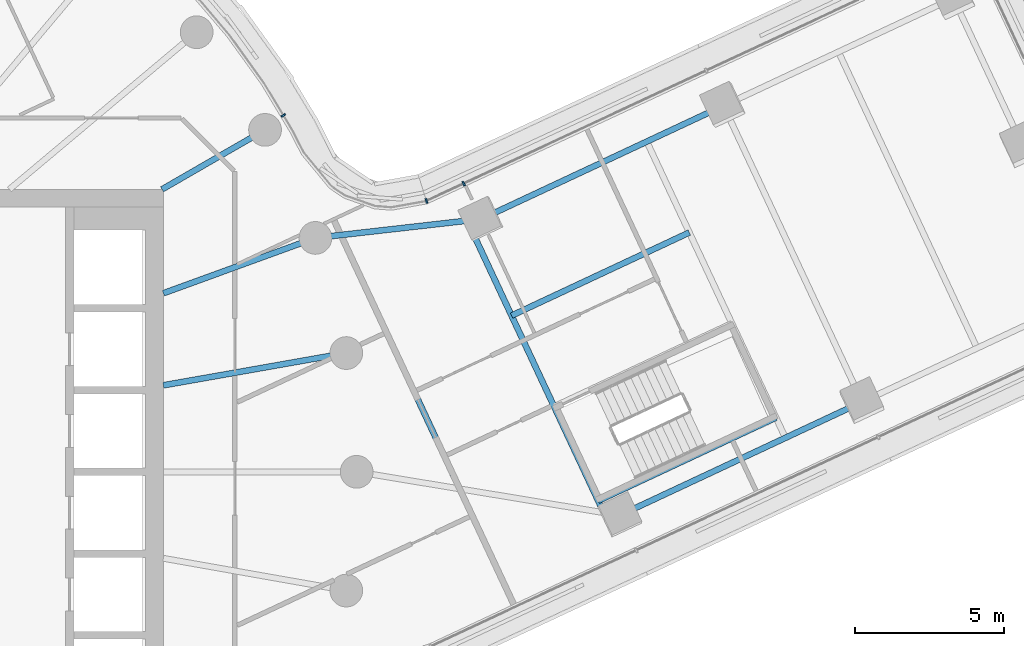
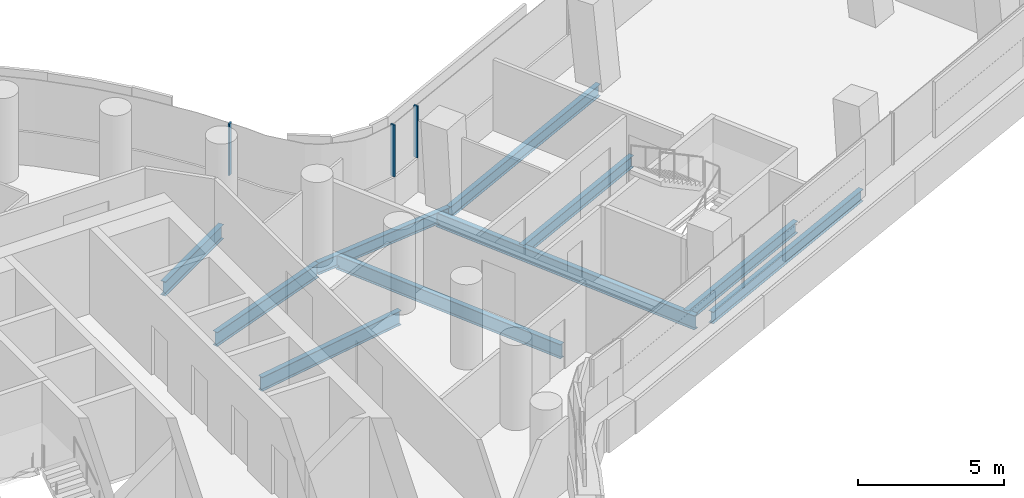
# One storey, part 12 of 36: 10 beams, 3 members, 2 elements without a shape of their own.
"""IFC4 building model written with IfcOpenShell, lengths in metres."""

import ifcopenshell
import ifcopenshell.guid

model = None  # the IFC model being written
_history = None  # IfcOwnerHistory: only IFC2X3 demands one
_inside = {}  # id of a spatial element -> (the spatial element, [elements in it])
_under = {}  # id of a project, library or spatial element -> (it, [spatial elements below it])
_declared = {}  # id of a project -> (the project, [libraries it declares])
_typed = {}  # id of a type object -> (the type object, [elements of that type])
_made_of = {}  # id of a material, layer set ... -> (it, [elements and type objects made of it])


def new_model(schema):
    """Start an empty IFC model of exactly this schema.

    Asked for "IFC4X3", IfcOpenShell would pick the latest addendum, in which some entities
    have other attributes; the version numbers below select the first issue.
    IFC2X3 requires an IfcOwnerHistory on every rooted entity: one is made here for all.
    """
    global model, _history
    if schema == "IFC4X3":
        model = ifcopenshell.file(schema_version=(4, 3, 0, 0))
    else:
        model = ifcopenshell.file(schema=schema)
    _inside.clear()
    _under.clear()
    _declared.clear()
    _typed.clear()
    _made_of.clear()
    _history = None
    if model.schema == "IFC2X3":
        org = make("IfcOrganization", Name="unknown")
        user = make(
            "IfcPersonAndOrganization",
            ThePerson=make("IfcPerson", FamilyName="unknown"),
            TheOrganization=org,
        )
        app = make(
            "IfcApplication",
            ApplicationDeveloper=org,
            Version="unknown",
            ApplicationFullName="unknown",
            ApplicationIdentifier="unknown",
        )
        _history = make(
            "IfcOwnerHistory",
            OwningUser=user,
            OwningApplication=app,
            ChangeAction="ADDED",
            CreationDate=0,
        )
    return model


def make(cls, **values):
    """One entity of the class cls with the attributes given. An attribute that is None is left unset."""
    return model.create_entity(
        cls, **{name: value for name, value in values.items() if value is not None}
    )


def rooted(cls, **values):
    """An entity with a GlobalId (a new one), such as an element, a storey or a relation."""
    return make(cls, GlobalId=ifcopenshell.guid.new(), OwnerHistory=_history, **values)


def si_unit(unit_type, name, prefix=None):
    """IfcSIUnit, for example si_unit("LENGTHUNIT", "METRE", prefix="MILLI")."""
    return make("IfcSIUnit", UnitType=unit_type, Prefix=prefix, Name=name)


def assignment(units):
    """IfcUnitAssignment: the units of a project."""
    return None if units is None else make("IfcUnitAssignment", Units=units)


def point(xyz):
    """IfcCartesianPoint."""
    return None if xyz is None else make("IfcCartesianPoint", Coordinates=xyz)


def direction(xyz):
    """IfcDirection."""
    return None if xyz is None else make("IfcDirection", DirectionRatios=xyz)


def frame(location, z_axis=None, x_axis=None):
    """IfcAxis2Placement3D, a coordinate frame: its origin and axes. An axis left out is left unset."""
    return make(
        "IfcAxis2Placement3D",
        Location=point(location),
        Axis=direction(z_axis),
        RefDirection=direction(x_axis),
    )


def frame_2d(location, x_axis=None):
    """IfcAxis2Placement2D, a coordinate frame in the plane: its origin and x axis."""
    return make(
        "IfcAxis2Placement2D", Location=point(location), RefDirection=direction(x_axis)
    )


def origin():
    """The frame at (0, 0, 0) with its axes left unset."""
    return frame((0.0, 0.0, 0.0))


def origin_2d():
    """The frame at (0, 0) in the plane with its x axis left unset."""
    return frame_2d((0.0, 0.0))


def place(relative_to, where):
    """IfcLocalPlacement: puts the frame where relative to a parent placement (None: the world)."""
    return make(
        "IfcLocalPlacement", PlacementRelTo=relative_to, RelativePlacement=where
    )


def context(
    kind, dimensions, precision=None, world=None, true_north=None, identifier=None
):
    """IfcGeometricRepresentationContext, for example the 3D "Model" context."""
    return make(
        "IfcGeometricRepresentationContext",
        ContextIdentifier=identifier,
        ContextType=kind,
        CoordinateSpaceDimension=dimensions,
        Precision=precision,
        WorldCoordinateSystem=world,
        TrueNorth=true_north,
    )


def subcontext(parent, identifier, kind, view, scale=None):
    """IfcGeometricRepresentationSubContext, for example "Body" below "Model"."""
    return make(
        "IfcGeometricRepresentationSubContext",
        ContextIdentifier=identifier,
        ContextType=kind,
        ParentContext=parent,
        TargetScale=scale,
        TargetView=view,
    )


def project(units=None, contexts=None):
    """IfcProject with its units and contexts."""
    return rooted(
        "IfcProject",
        Name="project",
        RepresentationContexts=contexts,
        UnitsInContext=assignment(units),
    )


def spatial(cls, under=None, at=None, **own):
    """A site, building, storey or space (cls), placed at a placement, below another one or the project."""
    s = rooted(cls, ObjectPlacement=at, **own)
    if under is not None:
        _under.setdefault(under.id(), (under, []))[1].append(s)
    return s


def profile(cls, at=None, kind="AREA", **sizes):
    """A parametric profile (cls). Its sizes go by their IFC names, for example OverallWidth=200.0."""
    return make(cls, ProfileType=kind, Position=at, **sizes)


def rectangle(**sizes):
    """IfcRectangleProfileDef."""
    return profile("IfcRectangleProfileDef", **sizes)


def i_section(**sizes):
    """IfcIShapeProfileDef."""
    return profile("IfcIShapeProfileDef", **sizes)


def extrude(swept, where, along, depth):
    """IfcExtrudedAreaSolid: the profile swept, set in the frame where, extruded along a direction by depth."""
    return make(
        "IfcExtrudedAreaSolid",
        SweptArea=swept,
        Position=where,
        ExtrudedDirection=direction(along),
        Depth=depth,
    )


def shape(context_of_items, identifier, shape_type, items):
    """IfcShapeRepresentation: the items that make up one representation, for example the "Body"."""
    return make(
        "IfcShapeRepresentation",
        ContextOfItems=context_of_items,
        RepresentationIdentifier=identifier,
        RepresentationType=shape_type,
        Items=items,
    )


def material(Name=None, Category=None):
    """IfcMaterial."""
    return make("IfcMaterial", Name=Name, Category=Category)


def layer(
    of_material, thickness, ventilated=None, Name=None, Category=None, Priority=None
):
    """IfcMaterialLayer: one layer of a wall or slab, of a material (None: an air gap)."""
    return make(
        "IfcMaterialLayer",
        Material=of_material,
        LayerThickness=thickness,
        IsVentilated=ventilated,
        Name=Name,
        Category=Category,
        Priority=Priority,
    )


def layer_set(layers, Name=None):
    """IfcMaterialLayerSet."""
    return make("IfcMaterialLayerSet", MaterialLayers=layers, LayerSetName=Name)


def material_profile(
    of_material, cross_section, Name=None, Category=None, Priority=None
):
    """IfcMaterialProfile: a cross section and its material."""
    return make(
        "IfcMaterialProfile",
        Name=Name,
        Material=of_material,
        Profile=cross_section,
        Priority=Priority,
        Category=Category,
    )


def profile_set(profiles, Name=None, composite=None):
    """IfcMaterialProfileSet."""
    return make(
        "IfcMaterialProfileSet",
        Name=Name,
        MaterialProfiles=profiles,
        CompositeProfile=composite,
    )


def made_of(thing, what):
    """Note that an element or type object is made of a material, layer set ...; save() writes the relation."""
    if what is not None:
        _made_of.setdefault(what.id(), (what, []))[1].append(thing)
    return thing


def type_object(cls, material=None, **own):
    """A type object (cls), such as IfcWallType, which elements share."""
    return made_of(rooted(cls, **own), material)


def element(
    cls,
    number,
    at=None,
    inside=None,
    cuts=None,
    type_object=None,
    material=None,
    context=None,
    identifier="Body",
    shape_type=None,
    held_by="IfcProductDefinitionShape",
    body=None,
    shapes=None,
    **own,
):
    """One element of the class cls, such as IfcWall. Its Tag is "e" and its number.

    at: its placement. inside: the storey or other place that contains it. cuts: it is an
    opening in that element (IfcRelVoidsElement). A single representation is given by context,
    identifier, shape_type and body (its items); several are given by shapes. held_by: the class
    of the entity that holds the representations. save() writes the other relations.
    """
    e = rooted(cls, Tag="e%d" % number, ObjectPlacement=at, **own)
    if body is not None:
        shapes = [shape(context, identifier, shape_type, body)]
    if shapes is not None:
        e.Representation = make(held_by, Representations=shapes)
    if inside is not None:
        _inside.setdefault(inside.id(), (inside, []))[1].append(e)
    if cuts is not None:
        rooted(
            "IfcRelVoidsElement", RelatingBuildingElement=cuts, RelatedOpeningElement=e
        )
    if type_object is not None:
        _typed.setdefault(type_object.id(), (type_object, []))[1].append(e)
    return made_of(e, material)


def aggregate(whole, parts):
    """IfcRelAggregates: a whole, such as a stair, and the parts it consists of."""
    return rooted("IfcRelAggregates", RelatingObject=whole, RelatedObjects=parts)


def save(model, path):
    """Write the relations noted so far, then the file.

    IfcRelAggregates (storeys below a building ...), IfcRelContainedInSpatialStructure (elements
    in a storey), IfcRelDefinesByType, IfcRelAssociatesMaterial and IfcRelDeclares: one each for
    every whole, place, type object, material and project.
    """
    for whole, parts in _under.values():
        aggregate(whole, parts)
    for where, things in _inside.values():
        rooted(
            "IfcRelContainedInSpatialStructure",
            RelatedElements=things,
            RelatingStructure=where,
        )
    for kind, things in _typed.values():
        rooted("IfcRelDefinesByType", RelatedObjects=things, RelatingType=kind)
    for what, things in _made_of.values():
        rooted("IfcRelAssociatesMaterial", RelatedObjects=things, RelatingMaterial=what)
    for by, libraries in _declared.values():
        rooted("IfcRelDeclares", RelatingContext=by, RelatedDefinitions=libraries)
    model.write(path)


model = new_model("IFC4")

# Units and contexts
model_context = context("Model", 3, precision=1e-05, world=origin(), true_north=direction((0.0, 1.0)))
body_context = subcontext(model_context, "Body", "Model", "MODEL_VIEW")
ifc_project = project(units=[si_unit("LENGTHUNIT", "METRE"), si_unit("AREAUNIT", "SQUARE_METRE"), si_unit("VOLUMEUNIT", "CUBIC_METRE"), si_unit("PLANEANGLEUNIT", "RADIAN"), si_unit("MASSUNIT", "GRAM", prefix="KILO")], contexts=[model_context])

# Site, building, storey
site_placement = place(None, origin())
site = spatial("IfcSite", under=ifc_project, at=site_placement, CompositionType="ELEMENT")
building_placement = place(site_placement, origin())
building = spatial("IfcBuilding", under=site, at=building_placement, Name="Tamarind Cross Interchange Tower", CompositionType="ELEMENT")
storey_placement = place(building_placement, frame((0.0, 0.0, 124.75)))
storey = spatial("IfcBuildingStorey", under=building, at=storey_placement, Name="L30", CompositionType="ELEMENT", Elevation=124.75)

# Beams
ifc_material_1 = material(Name="Steel Q355B", Category="steel")
ifc_material_profile_1 = material_profile(ifc_material_1, i_section(OverallWidth=0.198974609375, OverallDepth=0.49609375, WebThickness=0.009033203125, FlangeThickness=0.013916015625, FilletRadius=0.012939453125, at=origin_2d()), Name="HN 496x199x9x14")
ifc_profile_set_1 = profile_set([ifc_material_profile_1], Name="Steel Q355B")
beam_type_1 = type_object("IfcBeamType", Name="Composite beam HN 496x199x9x14 Q355B", PredefinedType="BEAM", material=ifc_profile_set_1)
beam_1_placement = place(storey_placement, frame((40.00048828125, 2.350341796875, -0.387939453125), z_axis=(-0.90574606275, -0.423820799174, 0.0), x_axis=(0.423820799174, -0.90574606275, 0.0)))
element("IfcBeam", 1, at=beam_1_placement, inside=storey, type_object=beam_type_1, Name="Beam E-edgeem6", PredefinedType="BEAM", context=body_context, shape_type="SweptSolid", body=[
    extrude(i_section(OverallWidth=0.198974609375, OverallDepth=0.49609375, WebThickness=0.009033203125, FlangeThickness=0.013916015625, FilletRadius=0.012939453125, at=origin_2d()), origin(), (0.0, 0.0, 1.0), 9.000244140625),
])
beam_2_placement = place(storey_placement, frame((35.338623046875, 12.3134765625, -0.387939453125), z_axis=(-0.905756475666, -0.423798545053, 0.0), x_axis=(0.423798545053, -0.905756475666, 0.0)))
element("IfcBeam", 2, at=beam_2_placement, inside=storey, type_object=beam_type_1, Name="Beam E-edgeep3", PredefinedType="BEAM", context=body_context, shape_type="SweptSolid", body=[
    extrude(i_section(OverallWidth=0.198974609375, OverallDepth=0.49609375, WebThickness=0.009033203125, FlangeThickness=0.013916015625, FilletRadius=0.012939453125, at=origin_2d()), origin(), (0.0, 0.0, 1.0), 9.0),
])
beam_3_placement = place(storey_placement, frame((27.186767578125, 8.499267578125, -0.387939453125), z_axis=(-0.99361656873, -0.112810080865, 0.0), x_axis=(0.112810080865, -0.99361656873, 0.0)))
element("IfcBeam", 3, at=beam_3_placement, inside=storey, type_object=beam_type_1, Name="Beam E-linkep", PredefinedType="BEAM", context=body_context, shape_type="SweptSolid", body=[
    extrude(i_section(OverallWidth=0.198974609375, OverallDepth=0.49609375, WebThickness=0.009033203125, FlangeThickness=0.013916015625, FilletRadius=0.012939453125, at=origin_2d()), origin(), (0.0, 0.0, 1.0), 5.609619140625),
])
for number, where, z_axis, x_axis, name in (
    (4, (31.123291015625, -0.975341796875, -0.387939453125), (0.905754582431, 0.423802591314, 0.0), (-0.423802591314, 0.905754582431, 0.0), "Beam E-tr0"),
    (5, (28.20947265625, 5.251708984375, -0.387939453125), (0.905754582431, 0.423802591314, 0.0), (-0.423802591314, 0.905754582431, 0.0), "Beam E-stripp"),
):
    element("IfcBeam", number, at=place(storey_placement, frame(where, z_axis=z_axis, x_axis=x_axis)), inside=storey, type_object=beam_type_1, Name=name, PredefinedType="BEAM", context=body_context, shape_type="SweptSolid", body=[
        extrude(i_section(OverallWidth=0.198974609375, OverallDepth=0.49609375, WebThickness=0.009033203125, FlangeThickness=0.013916015625, FilletRadius=0.012939453125, at=origin_2d()), origin(), (0.0, 0.0, 1.0), 6.60009765625),
    ])
ifc_material_profile_2 = material_profile(ifc_material_1, i_section(OverallWidth=0.198974609375, OverallDepth=0.595947265625, WebThickness=0.010009765625, FlangeThickness=0.014892578125, FilletRadius=0.012939453125, at=origin_2d()), Name="HN 596x199x10x15")
ifc_profile_set_2 = profile_set([ifc_material_profile_2], Name="Steel Q355B")
beam_type_2 = type_object("IfcBeamType", Name="Composite beam HN 596x199x10x15 Q355B", PredefinedType="BEAM", material=ifc_profile_set_2)
beam_4_placement = place(storey_placement, frame((22.650634765625, 3.993896484375, -0.43798828125), z_axis=(-0.984809127561, -0.173640382036, 0.0), x_axis=(0.173640382036, -0.984809127561, 0.0)))
element("IfcBeam", 6, at=beam_4_placement, inside=storey, type_object=beam_type_2, Name="Beam HH01", PredefinedType="BEAM", context=body_context, shape_type="SweptSolid", body=[
    extrude(i_section(OverallWidth=0.198974609375, OverallDepth=0.595947265625, WebThickness=0.010009765625, FlangeThickness=0.014892578125, FilletRadius=0.012939453125, at=origin_2d()), origin(), (0.0, 0.0, 1.0), 6.24560546875),
])
beam_5_placement = place(storey_placement, frame((21.613037109375, 7.866455078125, -0.43798828125), z_axis=(-0.939701685589, -0.341995236956, 0.0), x_axis=(0.341995236956, -0.939701685589, 0.0)))
element("IfcBeam", 7, at=beam_5_placement, inside=storey, type_object=beam_type_2, Name="Beam HH02", PredefinedType="BEAM", context=body_context, shape_type="SweptSolid", body=[
    extrude(i_section(OverallWidth=0.198974609375, OverallDepth=0.595947265625, WebThickness=0.010009765625, FlangeThickness=0.014892578125, FilletRadius=0.012939453125, at=origin_2d()), origin(), (0.0, 0.0, 1.0), 5.441162109375),
])
beam_6_placement = place(storey_placement, frame((19.918701171875, 11.5, -0.43798828125), z_axis=(-0.866026010844, -0.49999894854, 0.0), x_axis=(0.49999894854, -0.866026010844, 0.0)))
element("IfcBeam", 8, at=beam_6_placement, inside=storey, type_object=beam_type_2, Name="Beam HH03", PredefinedType="BEAM", context=body_context, shape_type="SweptSolid", body=[
    extrude(i_section(OverallWidth=0.198974609375, OverallDepth=0.595947265625, WebThickness=0.010009765625, FlangeThickness=0.014892578125, FilletRadius=0.012939453125, at=origin_2d()), origin(), (0.0, 0.0, 1.0), 4.0),
])
ifc_material_profile_3 = material_profile(ifc_material_1, i_section(OverallWidth=0.199951171875, OverallDepth=0.60009765625, WebThickness=0.010986328125, FlangeThickness=0.01708984375, FilletRadius=0.012939453125, at=origin_2d()), Name="HN 600x200x11x17")
ifc_profile_set_3 = profile_set([ifc_material_profile_3], Name="Steel Q355B")
beam_type_3 = type_object("IfcBeamType", Name="Composite beam HN 600x200x11x17 Q355B", PredefinedType="BEAM", material=ifc_profile_set_3)
beam_7_placement = place(storey_placement, frame((31.31005859375, -1.375, -0.43994140625), z_axis=(-0.423788803586, 0.905761033582, 0.0), x_axis=(-0.905761033582, -0.423788803586, 0.0)))
element("IfcBeam", 9, at=beam_7_placement, inside=storey, type_object=beam_type_3, Name="Beam E-x298", PredefinedType="BEAM", context=body_context, shape_type="SweptSolid", body=[
    extrude(i_section(OverallWidth=0.199951171875, OverallDepth=0.60009765625, WebThickness=0.010986328125, FlangeThickness=0.01708984375, FilletRadius=0.012939453125, at=origin_2d()), origin(), (0.0, 0.0, 1.0), 10.842529296875),
])
beam_8_placement = place(storey_placement, frame((26.463623046875, -0.572998046875, -0.43994140625), z_axis=(-0.423811256332, 0.905750528019, 0.0), x_axis=(-0.905750528019, -0.423811256332, 0.0)))
element("IfcBeam", 10, at=beam_8_placement, inside=storey, type_object=beam_type_3, Name="Beam E-x258", PredefinedType="BEAM", context=body_context, shape_type="SweptSolid", body=[
    extrude(i_section(OverallWidth=0.199951171875, OverallDepth=0.60009765625, WebThickness=0.010986328125, FlangeThickness=0.01708984375, FilletRadius=0.012939453125, at=origin_2d()), origin(), (0.0, 0.0, 1.0), 9.4248046875),
])

# Curtain wall, member
ifc_material_2 = material(Name="Aluminium 6063-T6", Category="aluminium")
ifc_layer = layer(ifc_material_2, 0.159912109375)
ifc_layer_set = layer_set([ifc_layer], Name="Aluminium 6063-T6")
curtain_wall_type = type_object("IfcCurtainWallType", Name="Office curtain wall, 9.0 m bays", PredefinedType="NOTDEFINED", material=ifc_layer_set)
curtain_wall_1_placement = place(storey_placement, origin())
curtain_wall_1 = element("IfcCurtainWall", 11, at=curtain_wall_1_placement, inside=storey, type_object=curtain_wall_type, Name="CWS-L30-09", PredefinedType="NOTDEFINED")
ifc_material_profile_4 = material_profile(ifc_material_2, rectangle(XDim=0.06005859375, YDim=0.159912109375, at=origin_2d()), Name="Mullion CW1")
ifc_profile_set_4 = profile_set([ifc_material_profile_4], Name="Aluminium 6063-T6")
member_type = type_object("IfcMemberType", Name="Mullion CW1", PredefinedType="MULLION", material=ifc_profile_set_4)
member_1_placement = place(storey_placement, frame((26.59912109375, 9.693603515625, 1.39990234375), z_axis=(0.0, 0.0, 1.0), x_axis=(-0.906515024732, -0.422173554282, 0.0)))
member_1 = element("IfcMember", 12, at=member_1_placement, type_object=member_type, Name="CWM-L30-09-02", PredefinedType="MULLION", context=body_context, shape_type="SweptSolid", body=[
    extrude(rectangle(XDim=0.06005859375, YDim=0.159912109375, at=origin_2d()), origin(), (0.0, 0.0, 1.0), 2.170166015625),
])
aggregate(curtain_wall_1, [member_1])

# Curtain wall, members
curtain_wall_2_placement = place(storey_placement, origin())
curtain_wall_2 = element("IfcCurtainWall", 13, at=curtain_wall_2_placement, inside=storey, type_object=curtain_wall_type, Name="CWS-L30-10", PredefinedType="NOTDEFINED")
member_2_placement = place(storey_placement, frame((25.34814453125, 9.11083984375, 1.39990234375), z_axis=(0.0, 0.0, 1.0), x_axis=(-0.953164291766, -0.302453025944, 0.0)))
member_2 = element("IfcMember", 14, at=member_2_placement, type_object=member_type, Name="CWM-L30-10-00", PredefinedType="MULLION", context=body_context, shape_type="SweptSolid", body=[
    extrude(rectangle(XDim=0.06005859375, YDim=0.159912109375, at=origin_2d()), origin(), (0.0, 0.0, 1.0), 2.170166015625),
])
member_3_placement = place(storey_placement, frame((20.534423828125, 11.98779296875, 1.39990234375), z_axis=(0.0, 0.0, 1.0), x_axis=(-0.515577308909, 0.856843065292, 0.0)))
member_3 = element("IfcMember", 15, at=member_3_placement, type_object=member_type, Name="CWM-L30-10-01", PredefinedType="MULLION", context=body_context, shape_type="SweptSolid", body=[
    extrude(rectangle(XDim=0.06005859375, YDim=0.159912109375, at=origin_2d()), origin(), (0.0, 0.0, 1.0), 2.170166015625),
])
aggregate(curtain_wall_2, [member_2, member_3])

save(model, "model.ifc")
